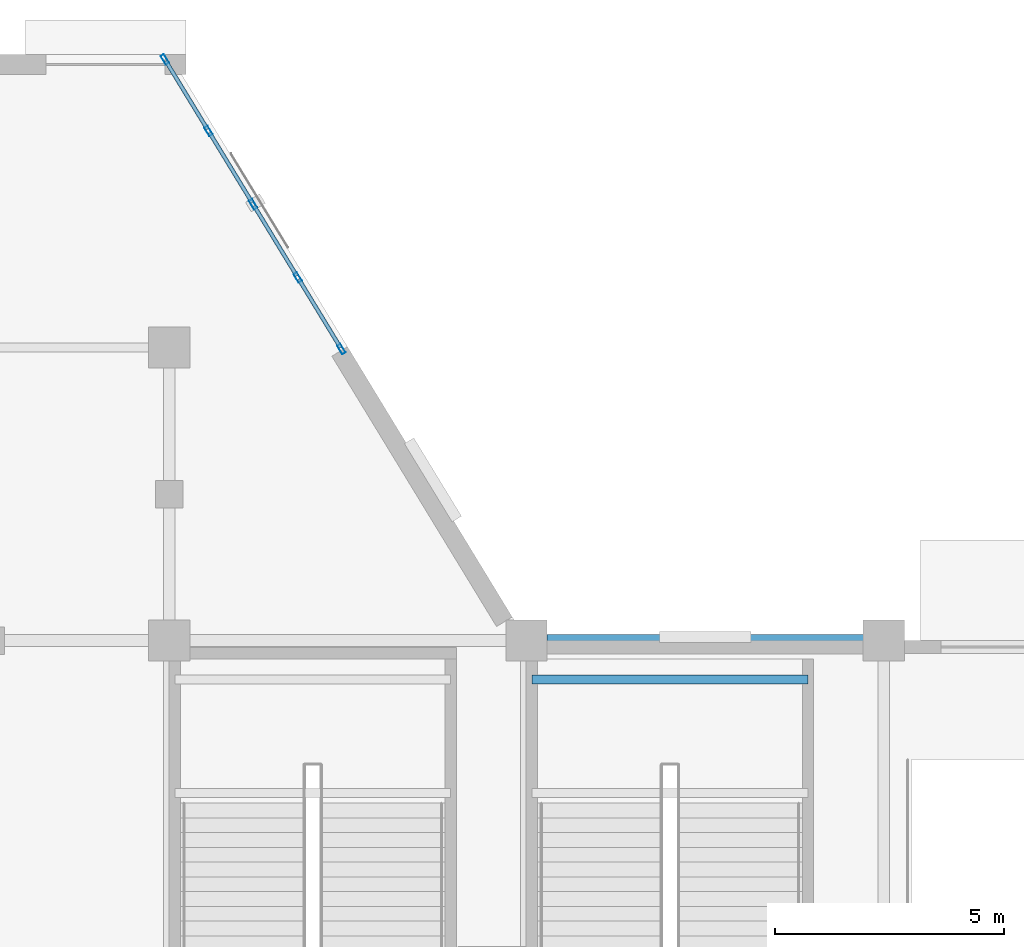
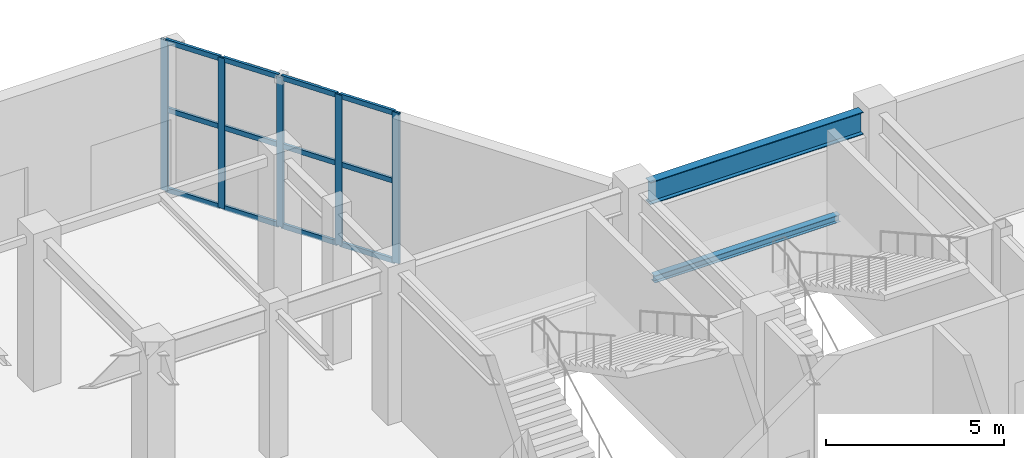
# One storey, part 99 of 139: 17 members, 2 beams, 1 element without a shape of its own.
"""IFC4 building model written with IfcOpenShell, lengths in metres."""

from ifc_helpers import new_model, si_unit, direction, frame, origin, origin_2d, place, context, subcontext, project, spatial, hollow_rectangle, i_section, extrude, material, layer, layer_set, material_profile, profile_set, type_object, element, aggregate, save


model = new_model("IFC4")

# Units and contexts
model_context = context("Model", 3, precision=1e-05, world=origin(), true_north=direction((0.0, 1.0)))
body_context = subcontext(model_context, "Body", "Model", "MODEL_VIEW")
ifc_project = project(units=[si_unit("LENGTHUNIT", "METRE"), si_unit("AREAUNIT", "SQUARE_METRE"), si_unit("VOLUMEUNIT", "CUBIC_METRE"), si_unit("PLANEANGLEUNIT", "RADIAN"), si_unit("MASSUNIT", "GRAM", prefix="KILO")], contexts=[model_context])

# Site, building, storey
site_placement = place(None, origin())
site = spatial("IfcSite", under=ifc_project, at=site_placement, CompositionType="ELEMENT")
building_placement = place(site_placement, origin())
building = spatial("IfcBuilding", under=site, at=building_placement, Name="Xicomal Pleat Aquarium", CompositionType="ELEMENT")
storey_placement = place(building_placement, origin())
storey = spatial("IfcBuildingStorey", under=building, at=storey_placement, Name="L01", CompositionType="ELEMENT", Elevation=0.0)

# Beams
ifc_material_1 = material(Name="Structural steel A992 Gr 50", Category="steel")
ifc_material_profile_1 = material_profile(ifc_material_1, i_section(OverallWidth=0.201904296875, OverallDepth=0.2470703125, WebThickness=0.00732421875, FlangeThickness=0.010986328125, at=origin_2d()), Name="IR 250x49")
ifc_profile_set_1 = profile_set([ifc_material_profile_1], Name="Structural steel A992 Gr 50")
beam_type_1 = type_object("IfcBeamType", Name="BM-STL-IR250", PredefinedType="JOIST", material=ifc_profile_set_1)
beam_1_placement = place(storey_placement, frame((149.52001953125, 97.550048828125, 2.37890625), z_axis=(1.0, 0.0, 0.0), x_axis=(0.0, 1.0, 0.0)))
element("IfcBeam", 1, at=beam_1_placement, inside=storey, type_object=beam_type_1, Name="ST-06-L01 half-landing bearer beam 1", PredefinedType="JOIST", context=body_context, shape_type="SweptSolid", body=[
    extrude(i_section(OverallWidth=0.201904296875, OverallDepth=0.2470703125, WebThickness=0.00732421875, FlangeThickness=0.010986328125, at=origin_2d()), origin(), (0.0, 0.0, 1.0), 6.02001953125),
])
ifc_material_2 = material(Name="Structural steel A992 Gr 50", Category="steel")
ifc_material_profile_2 = material_profile(ifc_material_2, i_section(OverallWidth=0.26806640625, OverallDepth=0.77001953125, WebThickness=0.015625, FlangeThickness=0.025390625, at=origin_2d()), Name="IR 760x196")
ifc_profile_set_2 = profile_set([ifc_material_profile_2], Name="Structural steel A992 Gr 50")
beam_type_2 = type_object("IfcBeamType", Name="BM-STL-IR760", PredefinedType="BEAM", material=ifc_profile_set_2)
beam_2_placement = place(storey_placement, frame((149.844970703125, 98.39990234375, 4.715087890625), z_axis=(1.0, 0.0, 0.0), x_axis=(0.0, 1.0, 0.0)))
element("IfcBeam", 2, at=beam_2_placement, inside=storey, type_object=beam_type_2, Name="L01 framing beam FGX-L01-19-20-P", PredefinedType="BEAM", context=body_context, shape_type="SweptSolid", body=[
    extrude(i_section(OverallWidth=0.26806640625, OverallDepth=0.77001953125, WebThickness=0.015625, FlangeThickness=0.025390625, at=origin_2d()), origin(), (0.0, 0.0, 1.0), 6.909912109375),
])

# Curtain wall, members
ifc_material_3 = material(Name="Bronze anodized aluminium 6063-T6", Category="aluminium")
ifc_layer = layer(ifc_material_3, 0.159912109375)
ifc_layer_set = layer_set([ifc_layer], Name="Bronze anodized aluminium 6063-T6")
curtain_wall_type = type_object("IfcCurtainWallType", Name="CW-SYS-11", PredefinedType="NOTDEFINED", material=ifc_layer_set)
curtain_wall_placement = place(storey_placement, origin())
curtain_wall = element("IfcCurtainWall", 3, at=curtain_wall_placement, inside=storey, type_object=curtain_wall_type, Name="L01 unitised curtain wall CW-L01-071", PredefinedType="NOTDEFINED")
ifc_material_4 = material(Name="Bronze anodized aluminium 6063-T6", Category="aluminium")
ifc_material_profile_3 = material_profile(ifc_material_4, hollow_rectangle(XDim=0.0849609375, YDim=0.219970703125, WallThickness=0.0048828125, at=origin_2d()), Name="ALU MULL 85x220")
ifc_profile_set_3 = profile_set([ifc_material_profile_3], Name="Bronze anodized aluminium 6063-T6")
member_type_1 = type_object("IfcMemberType", Name="CWM-85x220", PredefinedType="MULLION", material=ifc_profile_set_3)
member_1_placement = place(storey_placement, frame((141.502197265625, 111.0908203125, 0.0), z_axis=(0.0, 0.0, 1.0), x_axis=(0.853940796185, 0.520370172675, 0.0)))
member_1 = element("IfcMember", 4, at=member_1_placement, type_object=member_type_1, Name="CW-11 mullion 1", PredefinedType="MULLION", context=body_context, shape_type="SweptSolid", body=[
    extrude(hollow_rectangle(XDim=0.0849609375, YDim=0.219970703125, WallThickness=0.0048828125, at=origin_2d()), origin(), (0.0, 0.0, 1.0), 5.159912109375),
])
member_2_placement = place(storey_placement, frame((142.455078125, 109.527099609375, 0.0), z_axis=(0.0, 0.0, 1.0), x_axis=(0.853940796185, 0.520370172675, 0.0)))
member_2 = element("IfcMember", 5, at=member_2_placement, type_object=member_type_1, Name="CW-11 mullion 2", PredefinedType="MULLION", context=body_context, shape_type="SweptSolid", body=[
    extrude(hollow_rectangle(XDim=0.0849609375, YDim=0.219970703125, WallThickness=0.0048828125, at=origin_2d()), origin(), (0.0, 0.0, 1.0), 5.159912109375),
])
member_3_placement = place(storey_placement, frame((143.429931640625, 107.927001953125, 0.0), z_axis=(0.0, 0.0, 1.0), x_axis=(0.853940796185, 0.520370172675, 0.0)))
member_3 = element("IfcMember", 6, at=member_3_placement, type_object=member_type_1, Name="CW-11 mullion 3", PredefinedType="MULLION", context=body_context, shape_type="SweptSolid", body=[
    extrude(hollow_rectangle(XDim=0.0849609375, YDim=0.219970703125, WallThickness=0.0048828125, at=origin_2d()), origin(), (0.0, 0.0, 1.0), 5.159912109375),
])
member_4_placement = place(storey_placement, frame((144.405029296875, 106.326904296875, 0.0), z_axis=(0.0, 0.0, 1.0), x_axis=(0.853940796185, 0.520370172675, 0.0)))
member_4 = element("IfcMember", 7, at=member_4_placement, type_object=member_type_1, Name="CW-11 mullion 4", PredefinedType="MULLION", context=body_context, shape_type="SweptSolid", body=[
    extrude(hollow_rectangle(XDim=0.0849609375, YDim=0.219970703125, WallThickness=0.0048828125, at=origin_2d()), origin(), (0.0, 0.0, 1.0), 5.159912109375),
])
member_5_placement = place(storey_placement, frame((145.35791015625, 104.76318359375, 0.0), z_axis=(0.0, 0.0, 1.0), x_axis=(0.853940796185, 0.520370172675, 0.0)))
member_5 = element("IfcMember", 8, at=member_5_placement, type_object=member_type_1, Name="CW-11 mullion 5", PredefinedType="MULLION", context=body_context, shape_type="SweptSolid", body=[
    extrude(hollow_rectangle(XDim=0.0849609375, YDim=0.219970703125, WallThickness=0.0048828125, at=origin_2d()), origin(), (0.0, 0.0, 1.0), 5.159912109375),
])
ifc_material_5 = material(Name="Bronze anodized aluminium 6063-T6", Category="aluminium")
ifc_material_profile_4 = material_profile(ifc_material_5, hollow_rectangle(XDim=0.0849609375, YDim=0.169921875, WallThickness=0.0048828125, at=origin_2d()), Name="ALU TRAN 85x170")
ifc_profile_set_4 = profile_set([ifc_material_profile_4], Name="Bronze anodized aluminium 6063-T6")
member_type_2 = type_object("IfcMemberType", Name="CWT-85x170", PredefinedType="USERDEFINED", material=ifc_profile_set_4)
member_6_placement = place(storey_placement, frame((141.524169921875, 111.054443359375, 0.04248046875), z_axis=(0.520363800801, -0.853944679014, 0.0), x_axis=(0.853944679014, 0.520363800801, 0.0)))
member_6 = element("IfcMember", 9, at=member_6_placement, type_object=member_type_2, Name="CW-11 transom 1.1", ObjectType="TRANSOM", PredefinedType="USERDEFINED", context=body_context, shape_type="SweptSolid", body=[
    extrude(hollow_rectangle(XDim=0.0849609375, YDim=0.169921875, WallThickness=0.0048828125, at=origin_2d()), origin(), (0.0, 0.0, 1.0), 1.746337890625),
])
member_7_placement = place(storey_placement, frame((141.524169921875, 111.054443359375, 2.785888671875), z_axis=(0.520363800801, -0.853944679014, 0.0), x_axis=(0.853944679014, 0.520363800801, 0.0)))
member_7 = element("IfcMember", 10, at=member_7_placement, type_object=member_type_2, Name="CW-11 transom 1.2", ObjectType="TRANSOM", PredefinedType="USERDEFINED", context=body_context, shape_type="SweptSolid", body=[
    extrude(hollow_rectangle(XDim=0.0849609375, YDim=0.169921875, WallThickness=0.0048828125, at=origin_2d()), origin(), (0.0, 0.0, 1.0), 1.746337890625),
])
member_8_placement = place(storey_placement, frame((141.524169921875, 111.054443359375, 5.117431640625), z_axis=(0.520363800801, -0.853944679014, 0.0), x_axis=(0.853944679014, 0.520363800801, 0.0)))
member_8 = element("IfcMember", 11, at=member_8_placement, type_object=member_type_2, Name="CW-11 transom 1.3", ObjectType="TRANSOM", PredefinedType="USERDEFINED", context=body_context, shape_type="SweptSolid", body=[
    extrude(hollow_rectangle(XDim=0.0849609375, YDim=0.169921875, WallThickness=0.0048828125, at=origin_2d()), origin(), (0.0, 0.0, 1.0), 1.746337890625),
])
member_9_placement = place(storey_placement, frame((142.47705078125, 109.49072265625, 0.04248046875), z_axis=(0.520444819804, -0.853895303617, 0.0), x_axis=(0.853895303617, 0.520444819804, 0.0)))
member_9 = element("IfcMember", 12, at=member_9_placement, type_object=member_type_2, Name="CW-11 transom 2.1", ObjectType="TRANSOM", PredefinedType="USERDEFINED", context=body_context, shape_type="SweptSolid", body=[
    extrude(hollow_rectangle(XDim=0.0849609375, YDim=0.169921875, WallThickness=0.0048828125, at=origin_2d()), origin(), (0.0, 0.0, 1.0), 1.78857421875),
])
member_10_placement = place(storey_placement, frame((142.47705078125, 109.49072265625, 2.785888671875), z_axis=(0.520444819804, -0.853895303617, 0.0), x_axis=(0.853895303617, 0.520444819804, 0.0)))
member_10 = element("IfcMember", 13, at=member_10_placement, type_object=member_type_2, Name="CW-11 transom 2.2", ObjectType="TRANSOM", PredefinedType="USERDEFINED", context=body_context, shape_type="SweptSolid", body=[
    extrude(hollow_rectangle(XDim=0.0849609375, YDim=0.169921875, WallThickness=0.0048828125, at=origin_2d()), origin(), (0.0, 0.0, 1.0), 1.78857421875),
])
member_11_placement = place(storey_placement, frame((142.47705078125, 109.49072265625, 5.117431640625), z_axis=(0.520444819804, -0.853895303617, 0.0), x_axis=(0.853895303617, 0.520444819804, 0.0)))
member_11 = element("IfcMember", 14, at=member_11_placement, type_object=member_type_2, Name="CW-11 transom 2.3", ObjectType="TRANSOM", PredefinedType="USERDEFINED", context=body_context, shape_type="SweptSolid", body=[
    extrude(hollow_rectangle(XDim=0.0849609375, YDim=0.169921875, WallThickness=0.0048828125, at=origin_2d()), origin(), (0.0, 0.0, 1.0), 1.78857421875),
])
member_12_placement = place(storey_placement, frame((143.4521484375, 107.890625, 0.04248046875), z_axis=(0.520345287648, -0.853955960002, 0.0), x_axis=(0.853955960002, 0.520345287648, 0.0)))
member_12 = element("IfcMember", 15, at=member_12_placement, type_object=member_type_2, Name="CW-11 transom 3.1", ObjectType="TRANSOM", PredefinedType="USERDEFINED", context=body_context, shape_type="SweptSolid", body=[
    extrude(hollow_rectangle(XDim=0.0849609375, YDim=0.169921875, WallThickness=0.0048828125, at=origin_2d()), origin(), (0.0, 0.0, 1.0), 1.78857421875),
])
member_13_placement = place(storey_placement, frame((143.4521484375, 107.890625, 2.785888671875), z_axis=(0.520345287648, -0.853955960002, 0.0), x_axis=(0.853955960002, 0.520345287648, 0.0)))
member_13 = element("IfcMember", 16, at=member_13_placement, type_object=member_type_2, Name="CW-11 transom 3.2", ObjectType="TRANSOM", PredefinedType="USERDEFINED", context=body_context, shape_type="SweptSolid", body=[
    extrude(hollow_rectangle(XDim=0.0849609375, YDim=0.169921875, WallThickness=0.0048828125, at=origin_2d()), origin(), (0.0, 0.0, 1.0), 1.78857421875),
])
member_14_placement = place(storey_placement, frame((143.4521484375, 107.890625, 5.117431640625), z_axis=(0.520345287648, -0.853955960002, 0.0), x_axis=(0.853955960002, 0.520345287648, 0.0)))
member_14 = element("IfcMember", 17, at=member_14_placement, type_object=member_type_2, Name="CW-11 transom 3.3", ObjectType="TRANSOM", PredefinedType="USERDEFINED", context=body_context, shape_type="SweptSolid", body=[
    extrude(hollow_rectangle(XDim=0.0849609375, YDim=0.169921875, WallThickness=0.0048828125, at=origin_2d()), origin(), (0.0, 0.0, 1.0), 1.78857421875),
])
member_15_placement = place(storey_placement, frame((144.427001953125, 106.290771484375, 0.04248046875), z_axis=(0.520363800801, -0.853944679014, 0.0), x_axis=(0.853944679014, 0.520363800801, 0.0)))
member_15 = element("IfcMember", 18, at=member_15_placement, type_object=member_type_2, Name="CW-11 transom 4.1", ObjectType="TRANSOM", PredefinedType="USERDEFINED", context=body_context, shape_type="SweptSolid", body=[
    extrude(hollow_rectangle(XDim=0.0849609375, YDim=0.169921875, WallThickness=0.0048828125, at=origin_2d()), origin(), (0.0, 0.0, 1.0), 1.746337890625),
])
member_16_placement = place(storey_placement, frame((144.427001953125, 106.290771484375, 2.785888671875), z_axis=(0.520363800801, -0.853944679014, 0.0), x_axis=(0.853944679014, 0.520363800801, 0.0)))
member_16 = element("IfcMember", 19, at=member_16_placement, type_object=member_type_2, Name="CW-11 transom 4.2", ObjectType="TRANSOM", PredefinedType="USERDEFINED", context=body_context, shape_type="SweptSolid", body=[
    extrude(hollow_rectangle(XDim=0.0849609375, YDim=0.169921875, WallThickness=0.0048828125, at=origin_2d()), origin(), (0.0, 0.0, 1.0), 1.746337890625),
])
member_17_placement = place(storey_placement, frame((144.427001953125, 106.290771484375, 5.117431640625), z_axis=(0.520363800801, -0.853944679014, 0.0), x_axis=(0.853944679014, 0.520363800801, 0.0)))
member_17 = element("IfcMember", 20, at=member_17_placement, type_object=member_type_2, Name="CW-11 transom 4.3", ObjectType="TRANSOM", PredefinedType="USERDEFINED", context=body_context, shape_type="SweptSolid", body=[
    extrude(hollow_rectangle(XDim=0.0849609375, YDim=0.169921875, WallThickness=0.0048828125, at=origin_2d()), origin(), (0.0, 0.0, 1.0), 1.746337890625),
])
aggregate(curtain_wall, [member_1, member_2, member_3, member_4, member_5, member_6, member_7, member_8, member_9, member_10, member_11, member_12, member_13, member_14, member_15, member_16, member_17])

save(model, "model.ifc")
